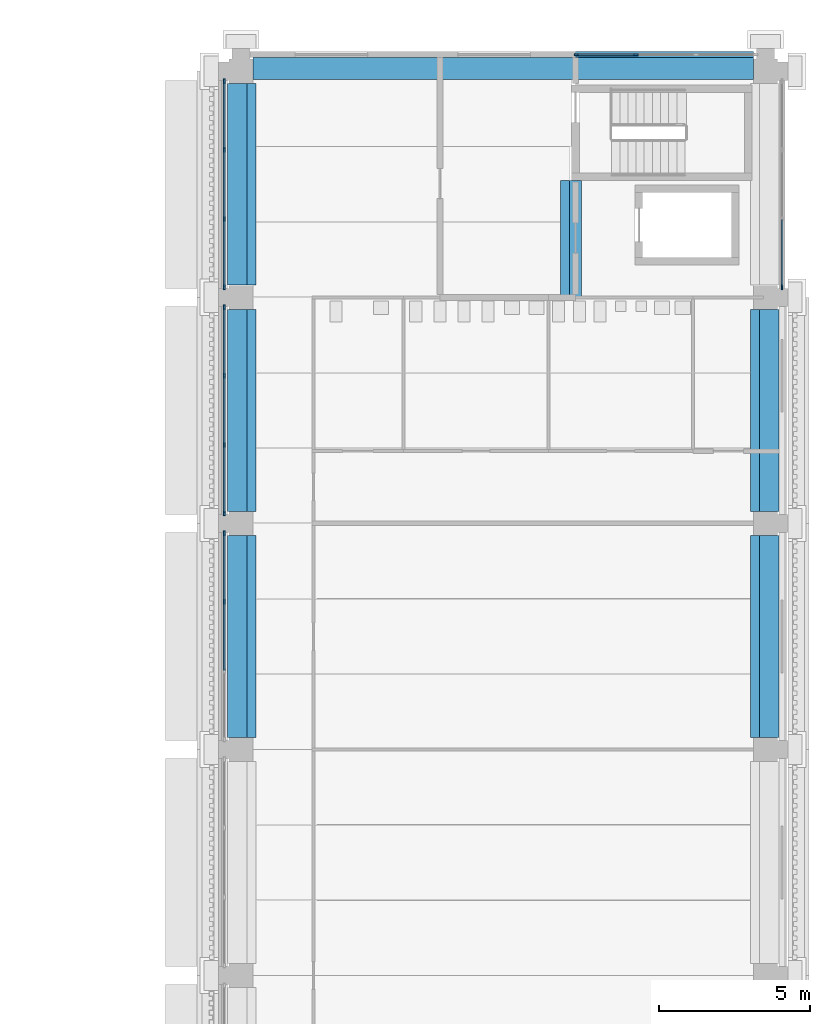
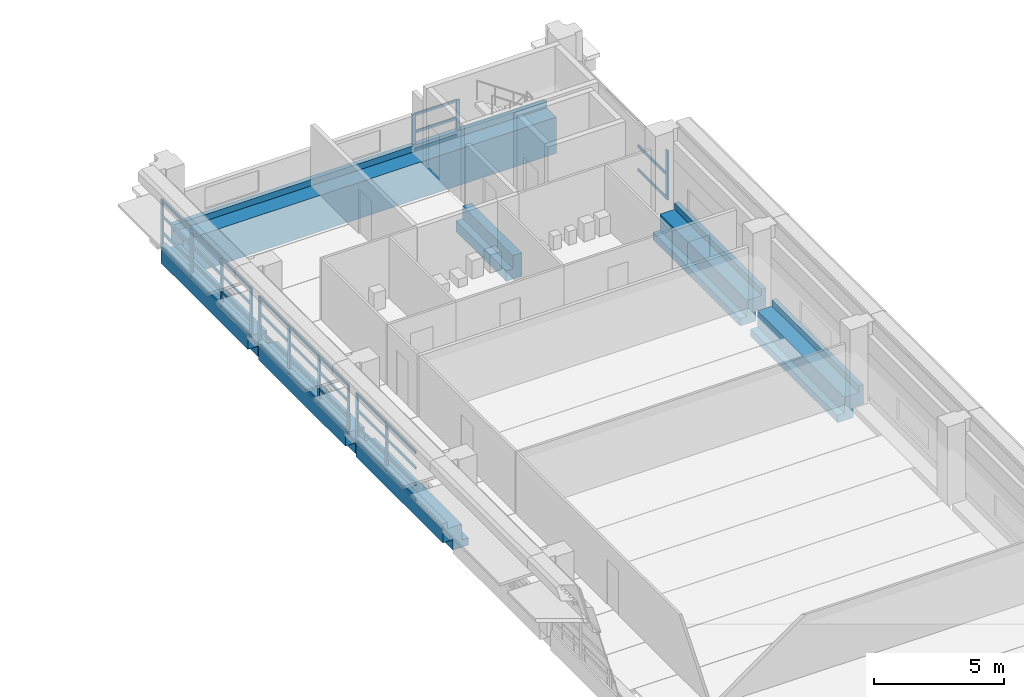
# One storey, part 20 of 71: 50 members, 7 beams, 5 elements without a shape of their own.
"""IFC4 building model written with IfcOpenShell, lengths in metres."""

from ifc_helpers import new_model, si_unit, direction, frame, origin, origin_2d, place, context, subcontext, project, spatial, polyline, rectangle, outline, extrude, material, layer, layer_set, material_profile, profile_set, type_object, element, aggregate, save


model = new_model("IFC4")

# Units and contexts
model_context = context("Model", 3, precision=1e-05, world=origin(), true_north=direction((0.0, 1.0)))
body_context = subcontext(model_context, "Body", "Model", "MODEL_VIEW")
ifc_project = project(units=[si_unit("LENGTHUNIT", "METRE"), si_unit("AREAUNIT", "SQUARE_METRE"), si_unit("VOLUMEUNIT", "CUBIC_METRE"), si_unit("PLANEANGLEUNIT", "RADIAN"), si_unit("MASSUNIT", "GRAM", prefix="KILO")], contexts=[model_context])

# Site, building, storey
site_placement = place(None, origin())
site = spatial("IfcSite", under=ifc_project, at=site_placement, CompositionType="ELEMENT")
building_placement = place(site_placement, origin())
building = spatial("IfcBuilding", under=site, at=building_placement, Name="Cour d'Honneur Mobility Palace", CompositionType="ELEMENT")
storey_placement = place(building_placement, frame((0.0, 0.0, 15.60009765625)))
storey = spatial("IfcBuildingStorey", under=building, at=storey_placement, Name="L04", CompositionType="ELEMENT", Elevation=15.60009765625)

# Curtain wall, members
ifc_material_1 = material(Name="Aluminium and glass", Category="aluminium")
ifc_layer = layer(ifc_material_1, 0.10009765625)
ifc_layer_set = layer_set([ifc_layer], Name="Aluminium and glass")
curtain_wall_type = type_object("IfcCurtainWallType", Name="Curtain wall run", PredefinedType="NOTDEFINED", material=ifc_layer_set)
curtain_wall_1_placement = place(storey_placement, origin())
curtain_wall_1 = element("IfcCurtainWall", 1, at=curtain_wall_1_placement, inside=storey, type_object=curtain_wall_type, Name="Curtain wall CW-65", PredefinedType="NOTDEFINED")
ifc_material_2 = material(Name="Aluminium", Category="aluminium")
ifc_material_profile_1 = material_profile(ifc_material_2, rectangle(XDim=0.06005859375, YDim=0.159912109375, at=origin_2d()), Name="Curtain wall mullion")
ifc_profile_set_1 = profile_set([ifc_material_profile_1], Name="Aluminium")
member_type_1 = type_object("IfcMemberType", Name="Curtain wall mullion", PredefinedType="MULLION", material=ifc_profile_set_1)
member_1_placement = place(storey_placement, frame((144.35009765625, 114.570068359375, 0.0), z_axis=(0.0, 0.0, 1.0), x_axis=(1.0, 0.0, 0.0)))
member_1 = element("IfcMember", 2, at=member_1_placement, type_object=member_type_1, Name="CW-65 mullion 1", PredefinedType="MULLION", context=body_context, shape_type="SweptSolid", body=[
    extrude(rectangle(XDim=0.06005859375, YDim=0.159912109375, at=origin_2d()), origin(), (0.0, 0.0, 1.0), 2.2998046875),
])
member_2_placement = place(storey_placement, frame((144.35009765625, 112.300048828125, 0.0), z_axis=(0.0, 0.0, 1.0), x_axis=(1.0, 0.0, 0.0)))
member_2 = element("IfcMember", 3, at=member_2_placement, type_object=member_type_1, Name="CW-65 mullion 2", PredefinedType="MULLION", context=body_context, shape_type="SweptSolid", body=[
    extrude(rectangle(XDim=0.06005859375, YDim=0.159912109375, at=origin_2d()), origin(), (0.0, 0.0, 1.0), 2.2998046875),
])
member_3_placement = place(storey_placement, frame((144.35009765625, 110.0, 0.0), z_axis=(0.0, 0.0, 1.0), x_axis=(1.0, 0.0, 0.0)))
member_3 = element("IfcMember", 4, at=member_3_placement, type_object=member_type_1, Name="CW-65 mullion 3", PredefinedType="MULLION", context=body_context, shape_type="SweptSolid", body=[
    extrude(rectangle(XDim=0.06005859375, YDim=0.159912109375, at=origin_2d()), origin(), (0.0, 0.0, 1.0), 2.2998046875),
])
member_4_placement = place(storey_placement, frame((144.35009765625, 107.72998046875, 0.0), z_axis=(0.0, 0.0, 1.0), x_axis=(1.0, 0.0, 0.0)))
member_4 = element("IfcMember", 5, at=member_4_placement, type_object=member_type_1, Name="CW-65 mullion 4", PredefinedType="MULLION", context=body_context, shape_type="SweptSolid", body=[
    extrude(rectangle(XDim=0.06005859375, YDim=0.159912109375, at=origin_2d()), origin(), (0.0, 0.0, 1.0), 2.2998046875),
])

curtain_wall_2_placement = place(storey_placement, origin())
curtain_wall_2 = element("IfcCurtainWall", 6, at=curtain_wall_2_placement, inside=storey, type_object=curtain_wall_type, Name="Curtain wall CW-66", PredefinedType="NOTDEFINED")
member_5_placement = place(storey_placement, frame((144.35009765625, 107.070068359375, 0.0), z_axis=(0.0, 0.0, 1.0), x_axis=(1.0, 0.0, 0.0)))
member_5 = element("IfcMember", 7, at=member_5_placement, type_object=member_type_1, Name="CW-66 mullion 1", PredefinedType="MULLION", context=body_context, shape_type="SweptSolid", body=[
    extrude(rectangle(XDim=0.06005859375, YDim=0.159912109375, at=origin_2d()), origin(), (0.0, 0.0, 1.0), 2.2998046875),
])
member_6_placement = place(storey_placement, frame((144.35009765625, 104.800048828125, 0.0), z_axis=(0.0, 0.0, 1.0), x_axis=(1.0, 0.0, 0.0)))
member_6 = element("IfcMember", 8, at=member_6_placement, type_object=member_type_1, Name="CW-66 mullion 2", PredefinedType="MULLION", context=body_context, shape_type="SweptSolid", body=[
    extrude(rectangle(XDim=0.06005859375, YDim=0.159912109375, at=origin_2d()), origin(), (0.0, 0.0, 1.0), 2.2998046875),
])
member_7_placement = place(storey_placement, frame((144.35009765625, 102.5, 0.0), z_axis=(0.0, 0.0, 1.0), x_axis=(1.0, 0.0, 0.0)))
member_7 = element("IfcMember", 9, at=member_7_placement, type_object=member_type_1, Name="CW-66 mullion 3", PredefinedType="MULLION", context=body_context, shape_type="SweptSolid", body=[
    extrude(rectangle(XDim=0.06005859375, YDim=0.159912109375, at=origin_2d()), origin(), (0.0, 0.0, 1.0), 2.2998046875),
])
member_8_placement = place(storey_placement, frame((144.35009765625, 100.22998046875, 0.0), z_axis=(0.0, 0.0, 1.0), x_axis=(1.0, 0.0, 0.0)))
member_8 = element("IfcMember", 10, at=member_8_placement, type_object=member_type_1, Name="CW-66 mullion 4", PredefinedType="MULLION", context=body_context, shape_type="SweptSolid", body=[
    extrude(rectangle(XDim=0.06005859375, YDim=0.159912109375, at=origin_2d()), origin(), (0.0, 0.0, 1.0), 2.2998046875),
])

curtain_wall_3_placement = place(storey_placement, origin())
curtain_wall_3 = element("IfcCurtainWall", 11, at=curtain_wall_3_placement, inside=storey, type_object=curtain_wall_type, Name="Curtain wall CW-67", PredefinedType="NOTDEFINED")
member_9_placement = place(storey_placement, frame((144.35009765625, 99.570068359375, 0.0), z_axis=(0.0, 0.0, 1.0), x_axis=(1.0, 0.0, 0.0)))
member_9 = element("IfcMember", 12, at=member_9_placement, type_object=member_type_1, Name="CW-67 mullion 1", PredefinedType="MULLION", context=body_context, shape_type="SweptSolid", body=[
    extrude(rectangle(XDim=0.06005859375, YDim=0.159912109375, at=origin_2d()), origin(), (0.0, 0.0, 1.0), 2.2998046875),
])
member_10_placement = place(storey_placement, frame((144.35009765625, 97.300048828125, 0.0), z_axis=(0.0, 0.0, 1.0), x_axis=(1.0, 0.0, 0.0)))
member_10 = element("IfcMember", 13, at=member_10_placement, type_object=member_type_1, Name="CW-67 mullion 2", PredefinedType="MULLION", context=body_context, shape_type="SweptSolid", body=[
    extrude(rectangle(XDim=0.06005859375, YDim=0.159912109375, at=origin_2d()), origin(), (0.0, 0.0, 1.0), 2.2998046875),
])

# Curtain wall, member
curtain_wall_4_placement = place(storey_placement, origin())
curtain_wall_4 = element("IfcCurtainWall", 14, at=curtain_wall_4_placement, inside=storey, type_object=curtain_wall_type, Name="Curtain wall CW-119", PredefinedType="NOTDEFINED")
member_11_placement = place(storey_placement, frame((162.85009765625, 107.72998046875, 0.0), z_axis=(0.0, 0.0, 1.0), x_axis=(-1.0, 0.0, 0.0)))
member_11 = element("IfcMember", 15, at=member_11_placement, type_object=member_type_1, Name="CW-119 mullion 1", PredefinedType="MULLION", context=body_context, shape_type="SweptSolid", body=[
    extrude(rectangle(XDim=0.06005859375, YDim=0.159912109375, at=origin_2d()), origin(), (0.0, 0.0, 1.0), 2.2998046875),
])

# Curtain wall, members
curtain_wall_5_placement = place(storey_placement, origin())
curtain_wall_5 = element("IfcCurtainWall", 16, at=curtain_wall_5_placement, inside=storey, type_object=curtain_wall_type, Name="Curtain wall CW-120", PredefinedType="NOTDEFINED")
member_12_placement = place(storey_placement, frame((158.0, 115.449951171875, 0.0), z_axis=(0.0, 0.0, 1.0), x_axis=(0.0, -1.0, 0.0)))
member_12 = element("IfcMember", 17, at=member_12_placement, type_object=member_type_1, Name="CW-120 mullion 3", PredefinedType="MULLION", context=body_context, shape_type="SweptSolid", body=[
    extrude(rectangle(XDim=0.06005859375, YDim=0.159912109375, at=origin_2d()), origin(), (0.0, 0.0, 1.0), 1.699951171875),
])
member_13_placement = place(storey_placement, frame((156.030029296875, 115.449951171875, 0.0), z_axis=(0.0, 0.0, 1.0), x_axis=(0.0, -1.0, 0.0)))
member_13 = element("IfcMember", 18, at=member_13_placement, type_object=member_type_1, Name="CW-120 mullion 4", PredefinedType="MULLION", context=body_context, shape_type="SweptSolid", body=[
    extrude(rectangle(XDim=0.06005859375, YDim=0.159912109375, at=origin_2d()), origin(), (0.0, 0.0, 1.0), 1.699951171875),
])

# Member
ifc_material_3 = material(Name="Aluminium", Category="aluminium")
ifc_material_profile_2 = material_profile(ifc_material_3, rectangle(XDim=0.06005859375, YDim=0.1201171875, at=origin_2d()), Name="Curtain wall transom")
ifc_profile_set_2 = profile_set([ifc_material_profile_2], Name="Aluminium")
member_type_2 = type_object("IfcMemberType", Name="Curtain wall transom", PredefinedType="USERDEFINED", material=ifc_profile_set_2)
member_14_placement = place(storey_placement, frame((144.35009765625, 114.5400390625, 0.02978515625), z_axis=(0.0, -1.0, 0.0), x_axis=(1.0, 0.0, 0.0)))
member_14 = element("IfcMember", 19, at=member_14_placement, type_object=member_type_2, Name="CW-65 transom 1.1", ObjectType="TRANSOM", PredefinedType="USERDEFINED", context=body_context, shape_type="SweptSolid", body=[
    extrude(rectangle(XDim=0.06005859375, YDim=0.1201171875, at=origin_2d()), origin(), (0.0, 0.0, 1.0), 2.2099609375),
])

member_15_placement = place(storey_placement, frame((144.35009765625, 114.5400390625, 0.7666015625), z_axis=(0.0, -1.0, 0.0), x_axis=(1.0, 0.0, 0.0)))
member_15 = element("IfcMember", 20, at=member_15_placement, type_object=member_type_2, Name="CW-65 transom 1.2", ObjectType="TRANSOM", PredefinedType="USERDEFINED", context=body_context, shape_type="SweptSolid", body=[
    extrude(rectangle(XDim=0.06005859375, YDim=0.1201171875, at=origin_2d()), origin(), (0.0, 0.0, 1.0), 2.2099609375),
])

member_16_placement = place(storey_placement, frame((144.35009765625, 114.5400390625, 1.533203125), z_axis=(0.0, -1.0, 0.0), x_axis=(1.0, 0.0, 0.0)))
member_16 = element("IfcMember", 21, at=member_16_placement, type_object=member_type_2, Name="CW-65 transom 1.3", ObjectType="TRANSOM", PredefinedType="USERDEFINED", context=body_context, shape_type="SweptSolid", body=[
    extrude(rectangle(XDim=0.06005859375, YDim=0.1201171875, at=origin_2d()), origin(), (0.0, 0.0, 1.0), 2.2099609375),
])

member_17_placement = place(storey_placement, frame((144.35009765625, 114.5400390625, 2.27001953125), z_axis=(0.0, -1.0, 0.0), x_axis=(1.0, 0.0, 0.0)))
member_17 = element("IfcMember", 22, at=member_17_placement, type_object=member_type_2, Name="CW-65 transom 1.4", ObjectType="TRANSOM", PredefinedType="USERDEFINED", context=body_context, shape_type="SweptSolid", body=[
    extrude(rectangle(XDim=0.06005859375, YDim=0.1201171875, at=origin_2d()), origin(), (0.0, 0.0, 1.0), 2.2099609375),
])

member_18_placement = place(storey_placement, frame((144.35009765625, 112.27001953125, 0.02978515625), z_axis=(0.0, -1.0, 0.0), x_axis=(1.0, 0.0, 0.0)))
member_18 = element("IfcMember", 23, at=member_18_placement, type_object=member_type_2, Name="CW-65 transom 2.1", ObjectType="TRANSOM", PredefinedType="USERDEFINED", context=body_context, shape_type="SweptSolid", body=[
    extrude(rectangle(XDim=0.06005859375, YDim=0.1201171875, at=origin_2d()), origin(), (0.0, 0.0, 1.0), 2.239990234375),
])

member_19_placement = place(storey_placement, frame((144.35009765625, 112.27001953125, 0.7666015625), z_axis=(0.0, -1.0, 0.0), x_axis=(1.0, 0.0, 0.0)))
member_19 = element("IfcMember", 24, at=member_19_placement, type_object=member_type_2, Name="CW-65 transom 2.2", ObjectType="TRANSOM", PredefinedType="USERDEFINED", context=body_context, shape_type="SweptSolid", body=[
    extrude(rectangle(XDim=0.06005859375, YDim=0.1201171875, at=origin_2d()), origin(), (0.0, 0.0, 1.0), 2.239990234375),
])

member_20_placement = place(storey_placement, frame((144.35009765625, 112.27001953125, 1.533203125), z_axis=(0.0, -1.0, 0.0), x_axis=(1.0, 0.0, 0.0)))
member_20 = element("IfcMember", 25, at=member_20_placement, type_object=member_type_2, Name="CW-65 transom 2.3", ObjectType="TRANSOM", PredefinedType="USERDEFINED", context=body_context, shape_type="SweptSolid", body=[
    extrude(rectangle(XDim=0.06005859375, YDim=0.1201171875, at=origin_2d()), origin(), (0.0, 0.0, 1.0), 2.239990234375),
])

member_21_placement = place(storey_placement, frame((144.35009765625, 112.27001953125, 2.27001953125), z_axis=(0.0, -1.0, 0.0), x_axis=(1.0, 0.0, 0.0)))
member_21 = element("IfcMember", 26, at=member_21_placement, type_object=member_type_2, Name="CW-65 transom 2.4", ObjectType="TRANSOM", PredefinedType="USERDEFINED", context=body_context, shape_type="SweptSolid", body=[
    extrude(rectangle(XDim=0.06005859375, YDim=0.1201171875, at=origin_2d()), origin(), (0.0, 0.0, 1.0), 2.239990234375),
])

member_22_placement = place(storey_placement, frame((144.35009765625, 109.969970703125, 0.02978515625), z_axis=(0.0, -1.0, 0.0), x_axis=(1.0, 0.0, 0.0)))
member_22 = element("IfcMember", 27, at=member_22_placement, type_object=member_type_2, Name="CW-65 transom 3.1", ObjectType="TRANSOM", PredefinedType="USERDEFINED", context=body_context, shape_type="SweptSolid", body=[
    extrude(rectangle(XDim=0.06005859375, YDim=0.1201171875, at=origin_2d()), origin(), (0.0, 0.0, 1.0), 2.2099609375),
])

member_23_placement = place(storey_placement, frame((144.35009765625, 109.969970703125, 0.7666015625), z_axis=(0.0, -1.0, 0.0), x_axis=(1.0, 0.0, 0.0)))
member_23 = element("IfcMember", 28, at=member_23_placement, type_object=member_type_2, Name="CW-65 transom 3.2", ObjectType="TRANSOM", PredefinedType="USERDEFINED", context=body_context, shape_type="SweptSolid", body=[
    extrude(rectangle(XDim=0.06005859375, YDim=0.1201171875, at=origin_2d()), origin(), (0.0, 0.0, 1.0), 2.2099609375),
])

member_24_placement = place(storey_placement, frame((144.35009765625, 109.969970703125, 1.533203125), z_axis=(0.0, -1.0, 0.0), x_axis=(1.0, 0.0, 0.0)))
member_24 = element("IfcMember", 29, at=member_24_placement, type_object=member_type_2, Name="CW-65 transom 3.3", ObjectType="TRANSOM", PredefinedType="USERDEFINED", context=body_context, shape_type="SweptSolid", body=[
    extrude(rectangle(XDim=0.06005859375, YDim=0.1201171875, at=origin_2d()), origin(), (0.0, 0.0, 1.0), 2.2099609375),
])

member_25_placement = place(storey_placement, frame((144.35009765625, 109.969970703125, 2.27001953125), z_axis=(0.0, -1.0, 0.0), x_axis=(1.0, 0.0, 0.0)))
member_25 = element("IfcMember", 30, at=member_25_placement, type_object=member_type_2, Name="CW-65 transom 3.4", ObjectType="TRANSOM", PredefinedType="USERDEFINED", context=body_context, shape_type="SweptSolid", body=[
    extrude(rectangle(XDim=0.06005859375, YDim=0.1201171875, at=origin_2d()), origin(), (0.0, 0.0, 1.0), 2.2099609375),
])

aggregate(curtain_wall_1, [member_1, member_2, member_3, member_4, member_14, member_15, member_16, member_17, member_18, member_19, member_20, member_21, member_22, member_23, member_24, member_25])

member_26_placement = place(storey_placement, frame((144.35009765625, 107.0400390625, 0.02978515625), z_axis=(0.0, -1.0, 0.0), x_axis=(1.0, 0.0, 0.0)))
member_26 = element("IfcMember", 31, at=member_26_placement, type_object=member_type_2, Name="CW-66 transom 1.1", ObjectType="TRANSOM", PredefinedType="USERDEFINED", context=body_context, shape_type="SweptSolid", body=[
    extrude(rectangle(XDim=0.06005859375, YDim=0.1201171875, at=origin_2d()), origin(), (0.0, 0.0, 1.0), 2.2099609375),
])

member_27_placement = place(storey_placement, frame((144.35009765625, 107.0400390625, 0.7666015625), z_axis=(0.0, -1.0, 0.0), x_axis=(1.0, 0.0, 0.0)))
member_27 = element("IfcMember", 32, at=member_27_placement, type_object=member_type_2, Name="CW-66 transom 1.2", ObjectType="TRANSOM", PredefinedType="USERDEFINED", context=body_context, shape_type="SweptSolid", body=[
    extrude(rectangle(XDim=0.06005859375, YDim=0.1201171875, at=origin_2d()), origin(), (0.0, 0.0, 1.0), 2.2099609375),
])

member_28_placement = place(storey_placement, frame((144.35009765625, 107.0400390625, 1.533203125), z_axis=(0.0, -1.0, 0.0), x_axis=(1.0, 0.0, 0.0)))
member_28 = element("IfcMember", 33, at=member_28_placement, type_object=member_type_2, Name="CW-66 transom 1.3", ObjectType="TRANSOM", PredefinedType="USERDEFINED", context=body_context, shape_type="SweptSolid", body=[
    extrude(rectangle(XDim=0.06005859375, YDim=0.1201171875, at=origin_2d()), origin(), (0.0, 0.0, 1.0), 2.2099609375),
])

member_29_placement = place(storey_placement, frame((144.35009765625, 107.0400390625, 2.27001953125), z_axis=(0.0, -1.0, 0.0), x_axis=(1.0, 0.0, 0.0)))
member_29 = element("IfcMember", 34, at=member_29_placement, type_object=member_type_2, Name="CW-66 transom 1.4", ObjectType="TRANSOM", PredefinedType="USERDEFINED", context=body_context, shape_type="SweptSolid", body=[
    extrude(rectangle(XDim=0.06005859375, YDim=0.1201171875, at=origin_2d()), origin(), (0.0, 0.0, 1.0), 2.2099609375),
])

member_30_placement = place(storey_placement, frame((144.35009765625, 104.77001953125, 0.02978515625), z_axis=(0.0, -1.0, 0.0), x_axis=(1.0, 0.0, 0.0)))
member_30 = element("IfcMember", 35, at=member_30_placement, type_object=member_type_2, Name="CW-66 transom 2.1", ObjectType="TRANSOM", PredefinedType="USERDEFINED", context=body_context, shape_type="SweptSolid", body=[
    extrude(rectangle(XDim=0.06005859375, YDim=0.1201171875, at=origin_2d()), origin(), (0.0, 0.0, 1.0), 2.239990234375),
])

member_31_placement = place(storey_placement, frame((144.35009765625, 104.77001953125, 0.7666015625), z_axis=(0.0, -1.0, 0.0), x_axis=(1.0, 0.0, 0.0)))
member_31 = element("IfcMember", 36, at=member_31_placement, type_object=member_type_2, Name="CW-66 transom 2.2", ObjectType="TRANSOM", PredefinedType="USERDEFINED", context=body_context, shape_type="SweptSolid", body=[
    extrude(rectangle(XDim=0.06005859375, YDim=0.1201171875, at=origin_2d()), origin(), (0.0, 0.0, 1.0), 2.239990234375),
])

member_32_placement = place(storey_placement, frame((144.35009765625, 104.77001953125, 1.533203125), z_axis=(0.0, -1.0, 0.0), x_axis=(1.0, 0.0, 0.0)))
member_32 = element("IfcMember", 37, at=member_32_placement, type_object=member_type_2, Name="CW-66 transom 2.3", ObjectType="TRANSOM", PredefinedType="USERDEFINED", context=body_context, shape_type="SweptSolid", body=[
    extrude(rectangle(XDim=0.06005859375, YDim=0.1201171875, at=origin_2d()), origin(), (0.0, 0.0, 1.0), 2.239990234375),
])

member_33_placement = place(storey_placement, frame((144.35009765625, 104.77001953125, 2.27001953125), z_axis=(0.0, -1.0, 0.0), x_axis=(1.0, 0.0, 0.0)))
member_33 = element("IfcMember", 38, at=member_33_placement, type_object=member_type_2, Name="CW-66 transom 2.4", ObjectType="TRANSOM", PredefinedType="USERDEFINED", context=body_context, shape_type="SweptSolid", body=[
    extrude(rectangle(XDim=0.06005859375, YDim=0.1201171875, at=origin_2d()), origin(), (0.0, 0.0, 1.0), 2.239990234375),
])

member_34_placement = place(storey_placement, frame((144.35009765625, 102.469970703125, 0.02978515625), z_axis=(0.0, -1.0, 0.0), x_axis=(1.0, 0.0, 0.0)))
member_34 = element("IfcMember", 39, at=member_34_placement, type_object=member_type_2, Name="CW-66 transom 3.1", ObjectType="TRANSOM", PredefinedType="USERDEFINED", context=body_context, shape_type="SweptSolid", body=[
    extrude(rectangle(XDim=0.06005859375, YDim=0.1201171875, at=origin_2d()), origin(), (0.0, 0.0, 1.0), 2.2099609375),
])

member_35_placement = place(storey_placement, frame((144.35009765625, 102.469970703125, 0.7666015625), z_axis=(0.0, -1.0, 0.0), x_axis=(1.0, 0.0, 0.0)))
member_35 = element("IfcMember", 40, at=member_35_placement, type_object=member_type_2, Name="CW-66 transom 3.2", ObjectType="TRANSOM", PredefinedType="USERDEFINED", context=body_context, shape_type="SweptSolid", body=[
    extrude(rectangle(XDim=0.06005859375, YDim=0.1201171875, at=origin_2d()), origin(), (0.0, 0.0, 1.0), 2.2099609375),
])

member_36_placement = place(storey_placement, frame((144.35009765625, 102.469970703125, 1.533203125), z_axis=(0.0, -1.0, 0.0), x_axis=(1.0, 0.0, 0.0)))
member_36 = element("IfcMember", 41, at=member_36_placement, type_object=member_type_2, Name="CW-66 transom 3.3", ObjectType="TRANSOM", PredefinedType="USERDEFINED", context=body_context, shape_type="SweptSolid", body=[
    extrude(rectangle(XDim=0.06005859375, YDim=0.1201171875, at=origin_2d()), origin(), (0.0, 0.0, 1.0), 2.2099609375),
])

member_37_placement = place(storey_placement, frame((144.35009765625, 102.469970703125, 2.27001953125), z_axis=(0.0, -1.0, 0.0), x_axis=(1.0, 0.0, 0.0)))
member_37 = element("IfcMember", 42, at=member_37_placement, type_object=member_type_2, Name="CW-66 transom 3.4", ObjectType="TRANSOM", PredefinedType="USERDEFINED", context=body_context, shape_type="SweptSolid", body=[
    extrude(rectangle(XDim=0.06005859375, YDim=0.1201171875, at=origin_2d()), origin(), (0.0, 0.0, 1.0), 2.2099609375),
])

aggregate(curtain_wall_2, [member_5, member_6, member_7, member_8, member_26, member_27, member_28, member_29, member_30, member_31, member_32, member_33, member_34, member_35, member_36, member_37])

member_38_placement = place(storey_placement, frame((144.35009765625, 99.5400390625, 0.02978515625), z_axis=(0.0, -1.0, 0.0), x_axis=(1.0, 0.0, 0.0)))
member_38 = element("IfcMember", 43, at=member_38_placement, type_object=member_type_2, Name="CW-67 transom 1.1", ObjectType="TRANSOM", PredefinedType="USERDEFINED", context=body_context, shape_type="SweptSolid", body=[
    extrude(rectangle(XDim=0.06005859375, YDim=0.1201171875, at=origin_2d()), origin(), (0.0, 0.0, 1.0), 2.2099609375),
])

member_39_placement = place(storey_placement, frame((144.35009765625, 99.5400390625, 0.7666015625), z_axis=(0.0, -1.0, 0.0), x_axis=(1.0, 0.0, 0.0)))
member_39 = element("IfcMember", 44, at=member_39_placement, type_object=member_type_2, Name="CW-67 transom 1.2", ObjectType="TRANSOM", PredefinedType="USERDEFINED", context=body_context, shape_type="SweptSolid", body=[
    extrude(rectangle(XDim=0.06005859375, YDim=0.1201171875, at=origin_2d()), origin(), (0.0, 0.0, 1.0), 2.2099609375),
])

member_40_placement = place(storey_placement, frame((144.35009765625, 99.5400390625, 1.533203125), z_axis=(0.0, -1.0, 0.0), x_axis=(1.0, 0.0, 0.0)))
member_40 = element("IfcMember", 45, at=member_40_placement, type_object=member_type_2, Name="CW-67 transom 1.3", ObjectType="TRANSOM", PredefinedType="USERDEFINED", context=body_context, shape_type="SweptSolid", body=[
    extrude(rectangle(XDim=0.06005859375, YDim=0.1201171875, at=origin_2d()), origin(), (0.0, 0.0, 1.0), 2.2099609375),
])

member_41_placement = place(storey_placement, frame((144.35009765625, 99.5400390625, 2.27001953125), z_axis=(0.0, -1.0, 0.0), x_axis=(1.0, 0.0, 0.0)))
member_41 = element("IfcMember", 46, at=member_41_placement, type_object=member_type_2, Name="CW-67 transom 1.4", ObjectType="TRANSOM", PredefinedType="USERDEFINED", context=body_context, shape_type="SweptSolid", body=[
    extrude(rectangle(XDim=0.06005859375, YDim=0.1201171875, at=origin_2d()), origin(), (0.0, 0.0, 1.0), 2.2099609375),
])

member_42_placement = place(storey_placement, frame((144.35009765625, 97.27001953125, 0.02978515625), z_axis=(0.0, -1.0, 0.0), x_axis=(1.0, 0.0, 0.0)))
member_42 = element("IfcMember", 47, at=member_42_placement, type_object=member_type_2, Name="CW-67 transom 2.1", ObjectType="TRANSOM", PredefinedType="USERDEFINED", context=body_context, shape_type="SweptSolid", body=[
    extrude(rectangle(XDim=0.06005859375, YDim=0.1201171875, at=origin_2d()), origin(), (0.0, 0.0, 1.0), 2.239990234375),
])

member_43_placement = place(storey_placement, frame((144.35009765625, 97.27001953125, 0.7666015625), z_axis=(0.0, -1.0, 0.0), x_axis=(1.0, 0.0, 0.0)))
member_43 = element("IfcMember", 48, at=member_43_placement, type_object=member_type_2, Name="CW-67 transom 2.2", ObjectType="TRANSOM", PredefinedType="USERDEFINED", context=body_context, shape_type="SweptSolid", body=[
    extrude(rectangle(XDim=0.06005859375, YDim=0.1201171875, at=origin_2d()), origin(), (0.0, 0.0, 1.0), 2.239990234375),
])

member_44_placement = place(storey_placement, frame((144.35009765625, 97.27001953125, 1.533203125), z_axis=(0.0, -1.0, 0.0), x_axis=(1.0, 0.0, 0.0)))
member_44 = element("IfcMember", 49, at=member_44_placement, type_object=member_type_2, Name="CW-67 transom 2.3", ObjectType="TRANSOM", PredefinedType="USERDEFINED", context=body_context, shape_type="SweptSolid", body=[
    extrude(rectangle(XDim=0.06005859375, YDim=0.1201171875, at=origin_2d()), origin(), (0.0, 0.0, 1.0), 2.239990234375),
])

member_45_placement = place(storey_placement, frame((144.35009765625, 97.27001953125, 2.27001953125), z_axis=(0.0, -1.0, 0.0), x_axis=(1.0, 0.0, 0.0)))
member_45 = element("IfcMember", 50, at=member_45_placement, type_object=member_type_2, Name="CW-67 transom 2.4", ObjectType="TRANSOM", PredefinedType="USERDEFINED", context=body_context, shape_type="SweptSolid", body=[
    extrude(rectangle(XDim=0.06005859375, YDim=0.1201171875, at=origin_2d()), origin(), (0.0, 0.0, 1.0), 2.239990234375),
])

aggregate(curtain_wall_3, [member_9, member_10, member_38, member_39, member_40, member_41, member_42, member_43, member_44, member_45])

member_46_placement = place(storey_placement, frame((162.85009765625, 107.760009765625, 0.02978515625), z_axis=(0.0, 1.0, 0.0), x_axis=(-1.0, 0.0, 0.0)))
member_46 = element("IfcMember", 51, at=member_46_placement, type_object=member_type_2, Name="CW-119 transom 1.1", ObjectType="TRANSOM", PredefinedType="USERDEFINED", context=body_context, shape_type="SweptSolid", body=[
    extrude(rectangle(XDim=0.06005859375, YDim=0.1201171875, at=origin_2d()), origin(), (0.0, 0.0, 1.0), 2.2099609375),
])

member_47_placement = place(storey_placement, frame((162.85009765625, 107.760009765625, 1.14990234375), z_axis=(0.0, 1.0, 0.0), x_axis=(-1.0, 0.0, 0.0)))
member_47 = element("IfcMember", 52, at=member_47_placement, type_object=member_type_2, Name="CW-119 transom 1.2", ObjectType="TRANSOM", PredefinedType="USERDEFINED", context=body_context, shape_type="SweptSolid", body=[
    extrude(rectangle(XDim=0.06005859375, YDim=0.1201171875, at=origin_2d()), origin(), (0.0, 0.0, 1.0), 2.2099609375),
])

aggregate(curtain_wall_4, [member_11, member_46, member_47])

member_48_placement = place(storey_placement, frame((157.969970703125, 115.449951171875, 0.02978515625), z_axis=(-1.0, 0.0, 0.0), x_axis=(0.0, -1.0, 0.0)))
member_48 = element("IfcMember", 53, at=member_48_placement, type_object=member_type_2, Name="CW-120 transom 3.1", ObjectType="TRANSOM", PredefinedType="USERDEFINED", context=body_context, shape_type="SweptSolid", body=[
    extrude(rectangle(XDim=0.06005859375, YDim=0.1201171875, at=origin_2d()), origin(), (0.0, 0.0, 1.0), 1.909912109375),
])

member_49_placement = place(storey_placement, frame((157.969970703125, 115.449951171875, 0.849853515625), z_axis=(-1.0, 0.0, 0.0), x_axis=(0.0, -1.0, 0.0)))
member_49 = element("IfcMember", 54, at=member_49_placement, type_object=member_type_2, Name="CW-120 transom 3.2", ObjectType="TRANSOM", PredefinedType="USERDEFINED", context=body_context, shape_type="SweptSolid", body=[
    extrude(rectangle(XDim=0.06005859375, YDim=0.1201171875, at=origin_2d()), origin(), (0.0, 0.0, 1.0), 1.909912109375),
])

member_50_placement = place(storey_placement, frame((157.969970703125, 115.449951171875, 1.669921875), z_axis=(-1.0, 0.0, 0.0), x_axis=(0.0, -1.0, 0.0)))
member_50 = element("IfcMember", 55, at=member_50_placement, type_object=member_type_2, Name="CW-120 transom 3.3", ObjectType="TRANSOM", PredefinedType="USERDEFINED", context=body_context, shape_type="SweptSolid", body=[
    extrude(rectangle(XDim=0.06005859375, YDim=0.1201171875, at=origin_2d()), origin(), (0.0, 0.0, 1.0), 1.909912109375),
])

aggregate(curtain_wall_5, [member_12, member_13, member_48, member_49, member_50])

# Beams
ifc_material_4 = material(Name="Concrete C45", Category="concrete")
ifc_material_profile_3 = material_profile(ifc_material_4, outline(polyline([(0.27490234375, -1.699951171875), (0.27490234375, -0.60009765625), (0.64990234375, -0.60009765625), (0.64990234375, 0.300048828125), (0.449951171875, 0.300048828125), (0.449951171875, 0.0), (0.27490234375, 0.0), (-0.27490234375, 0.0), (-0.27490234375, -1.699951171875), (0.27490234375, -1.699951171875)])), Name="Edge Spandrel Beam 550x1700 no ledge facade left")
ifc_profile_set_3 = profile_set([ifc_material_profile_3], Name="Concrete C45")
beam_type_1 = type_object("IfcBeamType", Name="Edge Spandrel Beam 550x1700 no ledge facade left", PredefinedType="SPANDREL", material=ifc_profile_set_3)
beam_1_placement = place(storey_placement, frame((145.300048828125, 114.89990234375, 0.0), z_axis=(1.0, 0.0, 0.0), x_axis=(0.0, 1.0, 0.0)))
element("IfcBeam", 56, at=beam_1_placement, inside=storey, type_object=beam_type_1, Name="Precast beam B7 19-20 L04", PredefinedType="SPANDREL", context=body_context, shape_type="SweptSolid", body=[
    extrude(outline(polyline([(0.27490234375, -1.699951171875), (0.27490234375, -0.60009765625), (0.64990234375, -0.60009765625), (0.64990234375, 0.300048828125), (0.449951171875, 0.300048828125), (0.449951171875, 0.0), (0.27490234375, 0.0), (-0.27490234375, 0.0), (-0.27490234375, -1.699951171875), (0.27490234375, -1.699951171875)])), origin(), (0.0, 0.0, 1.0), 16.599853515625),
])
ifc_material_5 = material(Name="Concrete C45", Category="concrete")
ifc_material_profile_4 = material_profile(ifc_material_5, outline(polyline([(0.5, -1.10009765625), (0.5, -0.75), (0.199951171875, -0.75), (0.199951171875, 0.0), (-0.199951171875, 0.0), (-0.449951171875, 0.0), (-0.449951171875, 0.300048828125), (-0.64990234375, 0.300048828125), (-0.64990234375, -0.60009765625), (-0.199951171875, -0.60009765625), (-0.199951171875, -1.10009765625), (0.5, -1.10009765625)])), Name="Ledger Beam 400x1100 ledge left 350 facade right")
ifc_profile_set_4 = profile_set([ifc_material_profile_4], Name="Concrete C45")
beam_type_2 = type_object("IfcBeamType", Name="Ledger Beam 400x1100 ledge left 350 facade right", PredefinedType="BEAM", material=ifc_profile_set_4)
for number, where, z_axis, x_axis, name in (
    (57, (162.300048828125, 92.800048828125, 0.0), (0.0, 1.0, 0.0), (-1.0, 0.0, 0.0), "Precast beam B2 M-N L04"),
    (58, (162.300048828125, 100.300048828125, 0.0), (0.0, 1.0, 0.0), (-1.0, 0.0, 0.0), "Precast beam B2 N-P L04"),
):
    element("IfcBeam", number, at=place(storey_placement, frame(where, z_axis=z_axis, x_axis=x_axis)), inside=storey, type_object=beam_type_2, Name=name, PredefinedType="BEAM", context=body_context, shape_type="SweptSolid", body=[
        extrude(outline(polyline([(0.5, -1.10009765625), (0.5, -0.75), (0.199951171875, -0.75), (0.199951171875, 0.0), (-0.199951171875, 0.0), (-0.449951171875, 0.0), (-0.449951171875, 0.300048828125), (-0.64990234375, 0.300048828125), (-0.64990234375, -0.60009765625), (-0.199951171875, -0.60009765625), (-0.199951171875, -1.10009765625), (0.5, -1.10009765625)])), origin(), (0.0, 0.0, 1.0), 6.699951171875),
    ])
ifc_material_6 = material(Name="Concrete C45", Category="concrete")
ifc_material_profile_5 = material_profile(ifc_material_6, outline(polyline([(0.5, -1.10009765625), (0.5, -0.60009765625), (0.199951171875, -0.60009765625), (0.199951171875, 0.0), (-0.199951171875, 0.0), (-0.199951171875, -1.10009765625), (0.5, -1.10009765625)])), Name="Ledger Beam 400x1100 ledge left 500 plain")
ifc_profile_set_5 = profile_set([ifc_material_profile_5], Name="Concrete C45")
beam_type_3 = type_object("IfcBeamType", Name="Ledger Beam 400x1100 ledge left 500 plain", PredefinedType="BEAM", material=ifc_profile_set_5)
beam_2_placement = place(storey_placement, frame((156.0, 107.39990234375, 0.0), z_axis=(0.0, 1.0, 0.0), x_axis=(-1.0, 0.0, 0.0)))
element("IfcBeam", 59, at=beam_2_placement, inside=storey, type_object=beam_type_3, Name="Precast beam B20 P- L04", PredefinedType="BEAM", context=body_context, shape_type="SweptSolid", body=[
    extrude(outline(polyline([(0.5, -1.10009765625), (0.5, -0.60009765625), (0.199951171875, -0.60009765625), (0.199951171875, 0.0), (-0.199951171875, 0.0), (-0.199951171875, -1.10009765625), (0.5, -1.10009765625)])), origin(), (0.0, 0.0, 1.0), 3.875),
])
ifc_material_7 = material(Name="Concrete C45", Category="concrete")
ifc_material_profile_6 = material_profile(ifc_material_7, outline(polyline([(0.199951171875, -1.10009765625), (0.199951171875, -0.60009765625), (0.64990234375, -0.60009765625), (0.64990234375, 0.300048828125), (0.449951171875, 0.300048828125), (0.449951171875, 0.0), (0.199951171875, 0.0), (-0.199951171875, 0.0), (-0.199951171875, -0.75), (-0.5, -0.75), (-0.5, -1.10009765625), (0.199951171875, -1.10009765625)])), Name="Ledger Beam 400x1100 ledge right 350 facade left")
ifc_profile_set_6 = profile_set([ifc_material_profile_6], Name="Concrete C45")
beam_type_4 = type_object("IfcBeamType", Name="Ledger Beam 400x1100 ledge right 350 facade left", PredefinedType="BEAM", material=ifc_profile_set_6)
for number, where, z_axis, x_axis, name in (
    (60, (144.89990234375, 92.800048828125, 0.0), (0.0, 1.0, 0.0), (-1.0, 0.0, 0.0), "Precast beam B4 M-N L04"),
    (61, (144.89990234375, 100.300048828125, 0.0), (0.0, 1.0, 0.0), (-1.0, 0.0, 0.0), "Precast beam B4 N-P L04"),
):
    element("IfcBeam", number, at=place(storey_placement, frame(where, z_axis=z_axis, x_axis=x_axis)), inside=storey, type_object=beam_type_4, Name=name, PredefinedType="BEAM", context=body_context, shape_type="SweptSolid", body=[
        extrude(outline(polyline([(0.199951171875, -1.10009765625), (0.199951171875, -0.60009765625), (0.64990234375, -0.60009765625), (0.64990234375, 0.300048828125), (0.449951171875, 0.300048828125), (0.449951171875, 0.0), (0.199951171875, 0.0), (-0.199951171875, 0.0), (-0.199951171875, -0.75), (-0.5, -0.75), (-0.5, -1.10009765625), (0.199951171875, -1.10009765625)])), origin(), (0.0, 0.0, 1.0), 6.699951171875),
    ])
ifc_material_8 = material(Name="Concrete C45", Category="concrete")
ifc_material_profile_7 = material_profile(ifc_material_8, outline(polyline([(0.199951171875, -1.10009765625), (0.199951171875, -0.60009765625), (0.64990234375, -0.60009765625), (0.64990234375, 0.300048828125), (0.449951171875, 0.300048828125), (0.449951171875, 0.0), (0.199951171875, 0.0), (-0.199951171875, 0.0), (-0.199951171875, -0.60009765625), (-0.5, -0.60009765625), (-0.5, -1.10009765625), (0.199951171875, -1.10009765625)])), Name="Ledger Beam 400x1100 ledge right 500 facade left")
ifc_profile_set_7 = profile_set([ifc_material_profile_7], Name="Concrete C45")
beam_type_5 = type_object("IfcBeamType", Name="Ledger Beam 400x1100 ledge right 500 facade left", PredefinedType="BEAM", material=ifc_profile_set_7)
beam_3_placement = place(storey_placement, frame((144.89990234375, 107.800048828125, 0.0), z_axis=(0.0, 1.0, 0.0), x_axis=(-1.0, 0.0, 0.0)))
element("IfcBeam", 62, at=beam_3_placement, inside=storey, type_object=beam_type_5, Name="Precast beam B17 P-Q L04", PredefinedType="BEAM", context=body_context, shape_type="SweptSolid", body=[
    extrude(outline(polyline([(0.199951171875, -1.10009765625), (0.199951171875, -0.60009765625), (0.64990234375, -0.60009765625), (0.64990234375, 0.300048828125), (0.449951171875, 0.300048828125), (0.449951171875, 0.0), (0.199951171875, 0.0), (-0.199951171875, 0.0), (-0.199951171875, -0.60009765625), (-0.5, -0.60009765625), (-0.5, -1.10009765625), (0.199951171875, -1.10009765625)])), origin(), (0.0, 0.0, 1.0), 6.699951171875),
])

save(model, "model.ifc")
